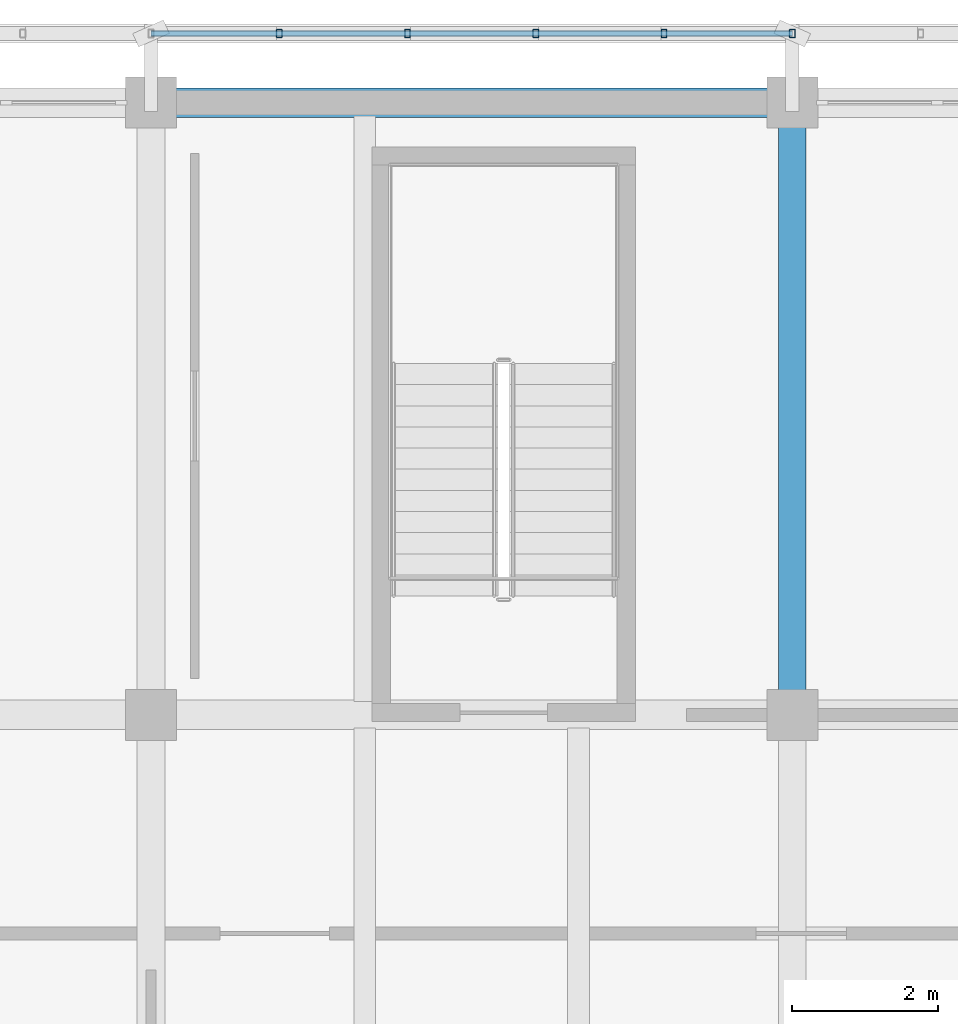
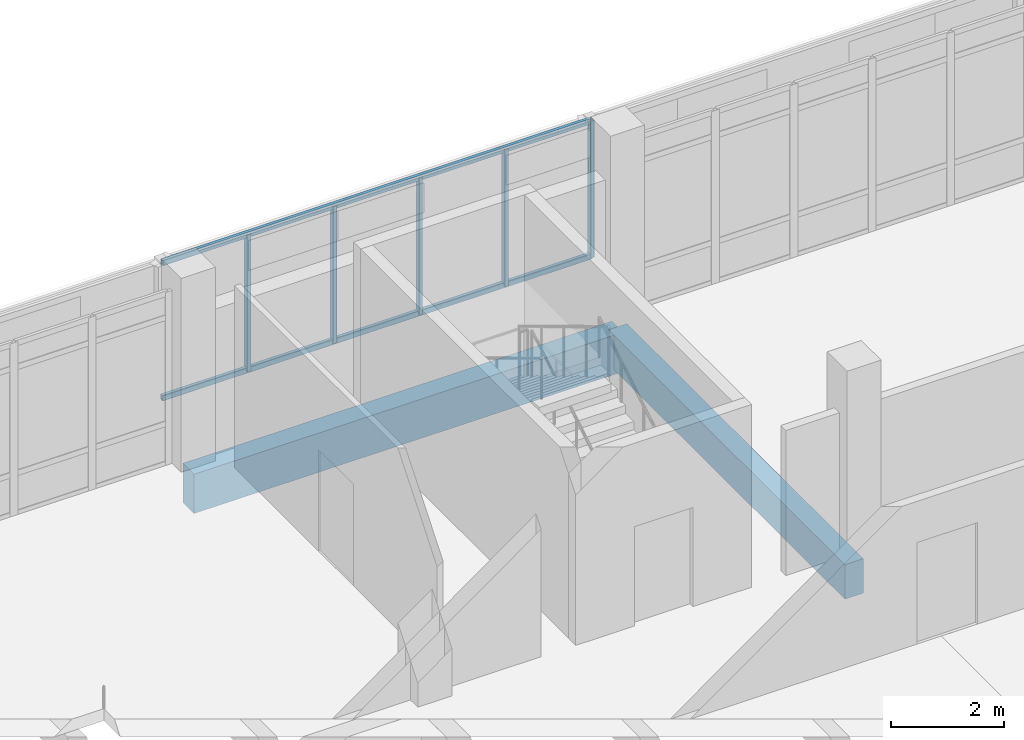
# One storey, part 74 of 137: 7 members, 2 beams.
"""IFC4 building model written with IfcOpenShell, lengths in metres."""

from ifc_helpers import new_model, si_unit, direction, frame, origin, origin_2d, place, context, subcontext, project, spatial, rectangle, hollow_rectangle, extrude, material, material_profile, profile_set, type_object, element, save


model = new_model("IFC4")

# Units and contexts
model_context = context("Model", 3, precision=1e-05, world=origin(), true_north=direction((0.0, 1.0)))
body_context = subcontext(model_context, "Body", "Model", "MODEL_VIEW")
ifc_project = project(units=[si_unit("LENGTHUNIT", "METRE"), si_unit("AREAUNIT", "SQUARE_METRE"), si_unit("VOLUMEUNIT", "CUBIC_METRE"), si_unit("PLANEANGLEUNIT", "RADIAN"), si_unit("MASSUNIT", "GRAM", prefix="KILO")], contexts=[model_context])

# Site, building, storey
site_placement = place(None, origin())
site = spatial("IfcSite", under=ifc_project, at=site_placement, CompositionType="ELEMENT")
building_placement = place(site_placement, origin())
building = spatial("IfcBuilding", under=site, at=building_placement, Name="Cinderway Yard Community Centre", CompositionType="ELEMENT")
storey_placement = place(building_placement, frame((0.0, 0.0, 4.800048828125)))
storey = spatial("IfcBuildingStorey", under=building, at=storey_placement, Name="L01", CompositionType="ELEMENT", Elevation=4.800048828125)

# Members
ifc_material_1 = material(Name="Steel S355", Category="steel")
ifc_material_profile_1 = material_profile(ifc_material_1, hollow_rectangle(XDim=0.080078125, YDim=0.1201171875, WallThickness=0.00634765625, InnerFilletRadius=0.00634765625, OuterFilletRadius=0.0126953125, at=origin_2d()), Name="Steel S355")
ifc_profile_set_1 = profile_set([ifc_material_profile_1], Name="Steel S355")
member_type = type_object("IfcMemberType", Name="ENV-MEM-SCREEN-RAIL-120", PredefinedType="STRINGER", material=ifc_profile_set_1)
for number, where, z_axis, x_axis, name in (
    (1, (110.39990234375, 116.14990234375, 0.7099609375), (1.0, 0.0, 0.0), (0.0, 1.0, 0.0), "Screen support rail 0066-BOT"),
    (2, (110.39990234375, 116.14990234375, 3.639892578125), (1.0, 0.0, 0.0), (0.0, 1.0, 0.0), "Screen support rail 0067-TOP"),
):
    element("IfcMember", number, at=place(storey_placement, frame(where, z_axis=z_axis, x_axis=x_axis)), inside=storey, type_object=member_type, Name=name, PredefinedType="STRINGER", context=body_context, shape_type="SweptSolid", body=[
        extrude(hollow_rectangle(XDim=0.080078125, YDim=0.1201171875, WallThickness=0.00634765625, InnerFilletRadius=0.00634765625, OuterFilletRadius=0.0126953125, at=origin_2d()), origin(), (0.0, 0.0, 1.0), 8.800048828125),
    ])
for number, where, z_axis, x_axis, name in (
    (3, (112.159912109375, 116.14990234375, 0.68994140625), (0.0, 0.0, 1.0), (1.0, 0.0, 0.0), "Screen vertical mullion 0068"),
    (4, (113.919921875, 116.14990234375, 0.68994140625), (0.0, 0.0, 1.0), (1.0, 0.0, 0.0), "Screen vertical mullion 0069"),
    (5, (115.679931640625, 116.14990234375, 0.68994140625), (0.0, 0.0, 1.0), (1.0, 0.0, 0.0), "Screen vertical mullion 0070"),
    (6, (117.43994140625, 116.14990234375, 0.68994140625), (0.0, 0.0, 1.0), (1.0, 0.0, 0.0), "Screen vertical mullion 0071"),
    (7, (119.199951171875, 116.14990234375, 0.68994140625), (0.0, 0.0, 1.0), (1.0, 0.0, 0.0), "Screen vertical mullion 0072"),
):
    element("IfcMember", number, at=place(storey_placement, frame(where, z_axis=z_axis, x_axis=x_axis)), inside=storey, type_object=member_type, Name=name, PredefinedType="STRINGER", context=body_context, shape_type="SweptSolid", body=[
        extrude(hollow_rectangle(XDim=0.080078125, YDim=0.1201171875, WallThickness=0.00634765625, InnerFilletRadius=0.00634765625, OuterFilletRadius=0.0126953125, at=origin_2d()), origin(), (0.0, 0.0, 1.0), 2.969970703125),
    ])

# Beams
ifc_material_2 = material(Name="Concrete C35/45", Category="concrete")
ifc_material_profile_2 = material_profile(ifc_material_2, rectangle(XDim=0.3798828125, YDim=0.75, at=origin_2d()), Name="Concrete C35/45")
ifc_profile_set_2 = profile_set([ifc_material_profile_2], Name="Concrete C35/45")
beam_type_1 = type_object("IfcBeamType", Name="STR-BM-RC380X750", PredefinedType="BEAM", material=ifc_profile_set_2)
beam_1_placement = place(storey_placement, frame((119.199951171875, 106.800048828125, -0.635009765625), z_axis=(0.0, 1.0, 0.0), x_axis=(-1.0, 0.0, 0.0)))
element("IfcBeam", 8, at=beam_1_placement, inside=storey, type_object=beam_type_1, Name="Transverse girder STR-BM-L01-BG06-0249", PredefinedType="BEAM", context=body_context, shape_type="SweptSolid", body=[
    extrude(rectangle(XDim=0.3798828125, YDim=0.75, at=origin_2d()), origin(), (0.0, 0.0, 1.0), 8.39990234375),
])
ifc_material_3 = material(Name="Concrete C40/50", Category="concrete")
ifc_material_profile_3 = material_profile(ifc_material_3, rectangle(XDim=0.39990234375, YDim=0.85009765625, at=origin_2d()), Name="Concrete C40/50")
ifc_profile_set_3 = profile_set([ifc_material_profile_3], Name="Concrete C40/50")
beam_type_2 = type_object("IfcBeamType", Name="STR-BM-RC400X850", PredefinedType="BEAM", material=ifc_profile_set_3)
beam_2_placement = place(storey_placement, frame((110.39990234375, 115.199951171875, -0.68505859375), z_axis=(1.0, 0.0, 0.0), x_axis=(0.0, 1.0, 0.0)))
element("IfcBeam", 9, at=beam_2_placement, inside=storey, type_object=beam_type_2, Name="Primary girder STR-BM-L01-BG04-0216", PredefinedType="BEAM", context=body_context, shape_type="SweptSolid", body=[
    extrude(rectangle(XDim=0.39990234375, YDim=0.85009765625, at=origin_2d()), origin(), (0.0, 0.0, 1.0), 8.800048828125),
])

save(model, "model.ifc")
